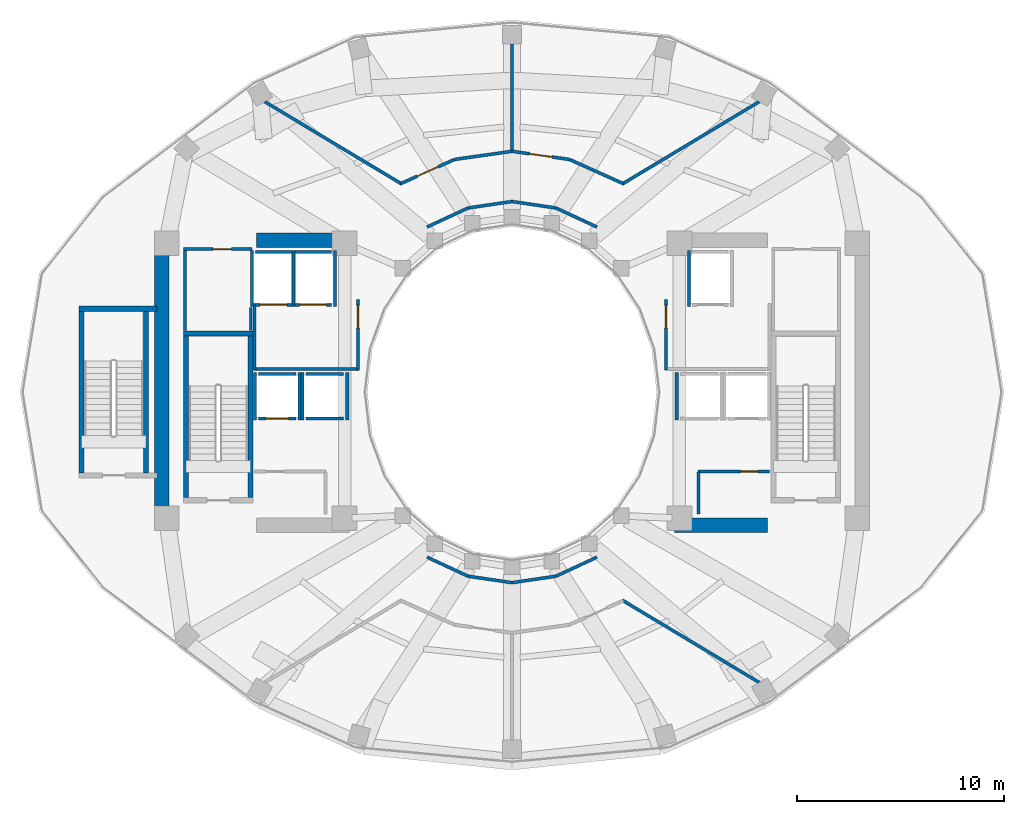
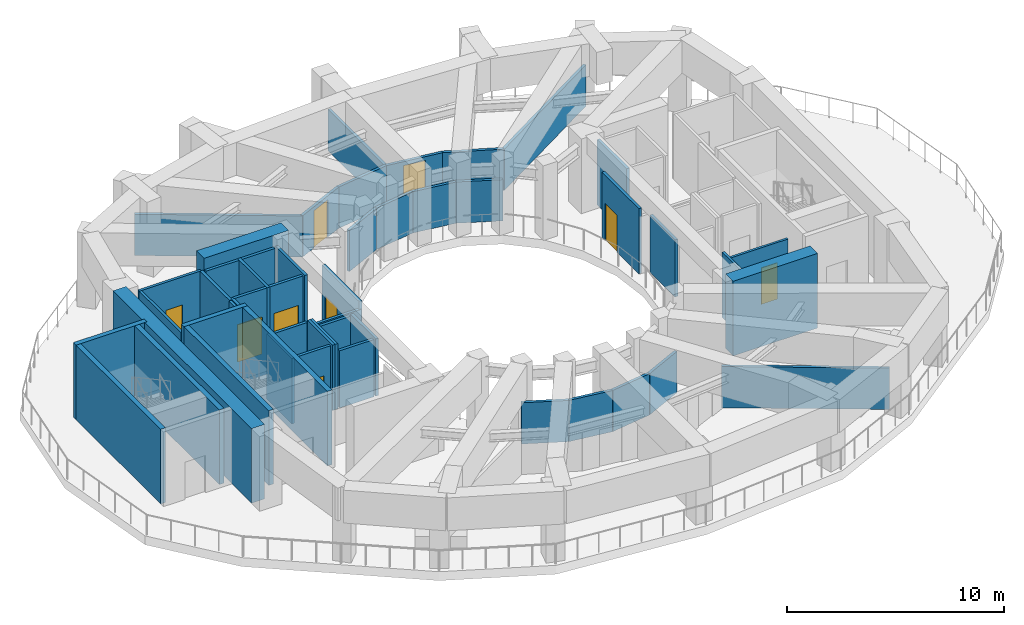
# One storey, part 3 of 9: 51 walls, 9 doors, 9 openings.
"""IFC4 building model written with IfcOpenShell, lengths in metres."""

from ifc_helpers import new_model, si_unit, direction, frame, frame_2d, origin, place, context, subcontext, project, spatial, rectangle, extrude, material, layer, layer_set, type_object, element, fill, save


model = new_model("IFC4")

# Units and contexts
model_context = context("Model", 3, precision=1e-05, world=origin(), true_north=direction((0.0, 1.0)))
body_context = subcontext(model_context, "Body", "Model", "MODEL_VIEW")
ifc_project = project(units=[si_unit("LENGTHUNIT", "METRE"), si_unit("AREAUNIT", "SQUARE_METRE"), si_unit("VOLUMEUNIT", "CUBIC_METRE"), si_unit("PLANEANGLEUNIT", "RADIAN"), si_unit("MASSUNIT", "GRAM", prefix="KILO")], contexts=[model_context])

# Site, building, storey
site_placement = place(None, origin())
site = spatial("IfcSite", under=ifc_project, at=site_placement, CompositionType="ELEMENT")
building_placement = place(site_placement, origin())
building = spatial("IfcBuilding", under=site, at=building_placement, Name="Solvane Sanctuary Tower", CompositionType="ELEMENT")
storey_placement = place(building_placement, frame((0.0, 0.0, 133.199951171875)))
storey = spatial("IfcBuildingStorey", under=building, at=storey_placement, Name="L40", CompositionType="ELEMENT", Elevation=133.199951171875)

# Walls
ifc_material_1 = material(Name="Concrete C60/75", Category="concrete")
ifc_layer_1 = layer(ifc_material_1, 0.699951171875, Name="Concrete C60/75")
ifc_layer_set_1 = layer_set([ifc_layer_1], Name="Concrete C60/75")
wall_type_1 = type_object("IfcWallType", Name="Wall W-CORE-700", PredefinedType="SHEAR", material=ifc_layer_set_1)
wall_1_placement = place(storey_placement, frame((15.050048828125, 17.050048828125, 0.0), z_axis=(0.0, 0.0, 1.0), x_axis=(0.0, 1.0, 0.0)))
element("IfcWall", 1, at=wall_1_placement, inside=storey, type_object=wall_type_1, Name="L40 Core Shear Wall WC-W", PredefinedType="SHEAR", context=body_context, shape_type="SweptSolid", body=[
    extrude(rectangle(XDim=12.800048828125, YDim=0.699951171875, at=frame_2d((6.39990234375, 0.0))), origin(), (0.0, 0.0, 1.0), 4.199951171875),
])
for number, where, z_axis, x_axis, name in (
    (2, (19.64990234375, 30.35009765625, 0.0), (0.0, 0.0, 1.0), (1.0, 0.0, 0.0), "L40 Core Shear Wall WC-N"),
    (3, (39.85009765625, 16.550048828125, 0.0), (0.0, 0.0, 1.0), (1.0, 0.0, 0.0), "L40 Core Shear Wall EC-S"),
):
    element("IfcWall", number, at=place(storey_placement, frame(where, z_axis=z_axis, x_axis=x_axis)), inside=storey, type_object=wall_type_1, Name=name, PredefinedType="SHEAR", context=body_context, shape_type="SweptSolid", body=[
        extrude(rectangle(XDim=4.5, YDim=0.699951171875, at=frame_2d((2.25, 0.0))), origin(), (0.0, 0.0, 1.0), 4.199951171875),
    ])
ifc_material_2 = material(Name="Acoustic Gypsum Partition Board")
ifc_layer_2 = layer(ifc_material_2, 0.14990234375, Name="Acoustic Gypsum Partition Board")
ifc_layer_set_2 = layer_set([ifc_layer_2], Name="Acoustic Gypsum Partition Board")
wall_type_2 = type_object("IfcWallType", Name="Wall W-CORR-150", PredefinedType="PARTITIONING", material=ifc_layer_set_2)
wall_2_placement = place(storey_placement, frame((19.52001953125, 24.1201171875, 0.0), z_axis=(0.0, 0.0, 1.0), x_axis=(1.0, 0.0, 0.0)))
element("IfcWall", 4, at=wall_2_placement, inside=storey, type_object=wall_type_2, Name="L40 West Firefighting Lobby South Wall", PredefinedType="PARTITIONING", context=body_context, shape_type="SweptSolid", body=[
    extrude(rectangle(XDim=5.080078125, YDim=0.14990234375, at=frame_2d((2.5400390625, 0.0))), origin(), (0.0, 0.0, 1.0), 3.219970703125),
])
wall_3_placement = place(storey_placement, frame((19.550048828125, 24.080078125, 0.0), z_axis=(0.0, 0.0, 1.0), x_axis=(0.0, 1.0, 0.0)))
element("IfcWall", 5, at=wall_3_placement, inside=storey, type_object=wall_type_2, Name="L40 West Firefighting Lobby West Wall", PredefinedType="PARTITIONING", context=body_context, shape_type="SweptSolid", body=[
    extrude(rectangle(XDim=3.199951171875, YDim=0.14990234375, at=frame_2d((1.60009765625, 0.0))), origin(), (0.0, 0.0, 1.0), 3.675048828125),
])

# Wall, opening, door
wall_4_placement = place(storey_placement, frame((24.550048828125, 24.080078125, 0.0), z_axis=(0.0, 0.0, 1.0), x_axis=(0.0, 1.0, 0.0)))
wall_4 = element("IfcWall", 6, at=wall_4_placement, inside=storey, type_object=wall_type_2, Name="L40 West Firefighting Lobby East Wall", PredefinedType="PARTITIONING", context=body_context, shape_type="SweptSolid", body=[
    extrude(rectangle(XDim=3.39990234375, YDim=0.14990234375, at=frame_2d((1.699951171875, 0.0))), origin(), (0.0, 0.0, 1.0), 3.675048828125),
])
opening_1_placement = place(wall_4_placement, frame((2.02001953125, 0.0, 0.0)))
opening_1 = element("IfcOpeningElement", 7, at=opening_1_placement, cuts=wall_4, Name="Opening D-L40-04", PredefinedType="OPENING", context=body_context, shape_type="SweptSolid", body=[
    extrude(rectangle(XDim=1.10009765625, YDim=2.10009765625, at=frame_2d((0.550048828125, 1.050048828125))), frame((0.0, 0.0849609375, 0.0), z_axis=(0.0, -1.0, 0.0), x_axis=(1.0, 0.0, 0.0)), (0.0, 0.0, 1.0), 0.169921875),
])
ifc_material_3 = material(Name="Architectural Stainless Steel 316", Category="steel")
door_type_1 = type_object("IfcDoorType", Name="Door D-FFL", OperationType="NOTDEFINED", PredefinedType="DOOR", material=ifc_material_3)
door_1_placement = place(opening_1_placement, origin())
door_1 = element("IfcDoor", 8, at=door_1_placement, inside=storey, type_object=door_type_1, Name="L40 West Firefighting Lobby Fire Door", OperationType="SINGLE_SWING_RIGHT", OverallHeight=2.10009765625, OverallWidth=1.10009765625, PredefinedType="DOOR", context=body_context, shape_type="SweptSolid", body=[
    extrude(rectangle(XDim=1.10009765625, YDim=2.10009765625, at=frame_2d((0.550048828125, 1.050048828125))), frame((0.0, 0.02490234375, 0.0), z_axis=(0.0, -1.0, 0.0), x_axis=(1.0, 0.0, 0.0)), (0.0, 0.0, 1.0), 0.050048828125),
])
fill(opening_1, door_1)

wall_5_placement = place(storey_placement, frame((39.449951171875, 24.080078125, 0.0), z_axis=(0.0, 0.0, 1.0), x_axis=(0.0, 1.0, 0.0)))
wall_5 = element("IfcWall", 9, at=wall_5_placement, inside=storey, type_object=wall_type_2, Name="L40 East Firefighting Lobby West Wall", PredefinedType="PARTITIONING", context=body_context, shape_type="SweptSolid", body=[
    extrude(rectangle(XDim=3.39990234375, YDim=0.14990234375, at=frame_2d((1.699951171875, 0.0))), origin(), (0.0, 0.0, 1.0), 3.675048828125),
])
opening_2_placement = place(wall_5_placement, frame((2.02001953125, 0.0, 0.0)))
opening_2 = element("IfcOpeningElement", 10, at=opening_2_placement, cuts=wall_5, Name="Opening D-L40-05", PredefinedType="OPENING", context=body_context, shape_type="SweptSolid", body=[
    extrude(rectangle(XDim=1.10009765625, YDim=2.10009765625, at=frame_2d((0.550048828125, 1.050048828125))), frame((0.0, 0.0849609375, 0.0), z_axis=(0.0, -1.0, 0.0), x_axis=(1.0, 0.0, 0.0)), (0.0, 0.0, 1.0), 0.169921875),
])
door_2_placement = place(opening_2_placement, origin())
door_2 = element("IfcDoor", 11, at=door_2_placement, inside=storey, type_object=door_type_1, Name="L40 East Firefighting Lobby Fire Door", OperationType="SINGLE_SWING_LEFT", OverallHeight=2.10009765625, OverallWidth=1.10009765625, PredefinedType="DOOR", context=body_context, shape_type="SweptSolid", body=[
    extrude(rectangle(XDim=1.10009765625, YDim=2.10009765625, at=frame_2d((0.550048828125, 1.050048828125))), frame((0.0, 0.02490234375, 0.0), z_axis=(0.0, -1.0, 0.0), x_axis=(1.0, 0.0, 0.0)), (0.0, 0.0, 1.0), 0.050048828125),
])
fill(opening_2, door_2)

# Walls
wall_6_placement = place(storey_placement, frame((36.110107421875, 30.98486328125, 0.0), z_axis=(0.0, 0.0, 1.0), x_axis=(-0.906943449489, 0.421252393975, 0.0)))
element("IfcWall", 12, at=wall_6_placement, inside=storey, type_object=wall_type_2, Name="L40 Light-Well Corridor Rim Wall N1", PredefinedType="PARTITIONING", context=body_context, shape_type="SweptSolid", body=[
    extrude(rectangle(XDim=2.18603515625, YDim=0.14990234375, at=frame_2d((1.093017578125, 0.0))), origin(), (0.0, 0.0, 1.0), 2.320068359375),
])
for number, where, z_axis, x_axis, name in (
    (13, (34.12744140625, 31.90576171875, 0.0), (0.0, 0.0, 1.0), (-0.989268584896, 0.146108408166, 0.0), "L40 Light-Well Corridor Rim Wall N2"),
    (14, (32.0, 32.219970703125, 0.0), (0.0, 0.0, 1.0), (-0.989268584896, -0.146108408166, 0.0), "L40 Light-Well Corridor Rim Wall N3"),
):
    element("IfcWall", number, at=place(storey_placement, frame(where, z_axis=z_axis, x_axis=x_axis)), inside=storey, type_object=wall_type_2, Name=name, PredefinedType="PARTITIONING", context=body_context, shape_type="SweptSolid", body=[
        extrude(rectangle(XDim=2.150634765625, YDim=0.14990234375, at=frame_2d((1.0751953125, 0.0))), origin(), (0.0, 0.0, 1.0), 2.320068359375),
    ])
for number, where, z_axis, x_axis, name in (
    (15, (29.87255859375, 31.90576171875, 0.0), (0.0, 0.0, 1.0), (-0.906943449489, -0.421252393975, 0.0), "L40 Light-Well Corridor Rim Wall N4"),
    (16, (27.889892578125, 15.01513671875, 0.0), (0.0, 0.0, 1.0), (0.906943449489, -0.421252393975, 0.0), "L40 Light-Well Corridor Rim Wall S1"),
):
    element("IfcWall", number, at=place(storey_placement, frame(where, z_axis=z_axis, x_axis=x_axis)), inside=storey, type_object=wall_type_2, Name=name, PredefinedType="PARTITIONING", context=body_context, shape_type="SweptSolid", body=[
        extrude(rectangle(XDim=2.18603515625, YDim=0.14990234375, at=frame_2d((1.093017578125, 0.0))), origin(), (0.0, 0.0, 1.0), 2.320068359375),
    ])
for number, where, z_axis, x_axis, name in (
    (17, (29.87255859375, 14.09423828125, 0.0), (0.0, 0.0, 1.0), (0.989268584896, -0.146108408166, 0.0), "L40 Light-Well Corridor Rim Wall S2"),
    (18, (32.0, 13.780029296875, 0.0), (0.0, 0.0, 1.0), (0.989268584896, 0.146108408166, 0.0), "L40 Light-Well Corridor Rim Wall S3"),
):
    element("IfcWall", number, at=place(storey_placement, frame(where, z_axis=z_axis, x_axis=x_axis)), inside=storey, type_object=wall_type_2, Name=name, PredefinedType="PARTITIONING", context=body_context, shape_type="SweptSolid", body=[
        extrude(rectangle(XDim=2.150634765625, YDim=0.14990234375, at=frame_2d((1.0751953125, 0.0))), origin(), (0.0, 0.0, 1.0), 2.320068359375),
    ])
wall_7_placement = place(storey_placement, frame((34.12744140625, 14.09423828125, 0.0), z_axis=(0.0, 0.0, 1.0), x_axis=(0.906943449489, 0.421252393975, 0.0)))
element("IfcWall", 19, at=wall_7_placement, inside=storey, type_object=wall_type_2, Name="L40 Light-Well Corridor Rim Wall S4", PredefinedType="PARTITIONING", context=body_context, shape_type="SweptSolid", body=[
    extrude(rectangle(XDim=2.18603515625, YDim=0.14990234375, at=frame_2d((1.093017578125, 0.0))), origin(), (0.0, 0.0, 1.0), 2.320068359375),
])
wall_8_placement = place(storey_placement, frame((37.33203125, 33.0634765625, 0.0), z_axis=(0.0, 0.0, 1.0), x_axis=(0.857109469509, 0.515134309941, 0.0)))
element("IfcWall", 20, at=wall_8_placement, inside=storey, type_object=wall_type_2, Name="L40 Refuge Area Radial Screen 060", PredefinedType="PARTITIONING", context=body_context, shape_type="SweptSolid", body=[
    extrude(rectangle(XDim=7.75732421875, YDim=0.14990234375, at=frame_2d((3.878662109375, 0.0))), origin(), (0.0, 0.0, 1.0), 2.320068359375),
])
wall_9_placement = place(storey_placement, frame((32.0, 34.60009765625, 0.0), z_axis=(0.0, 0.0, 1.0), x_axis=(0.0, 1.0, 0.0)))
element("IfcWall", 21, at=wall_9_placement, inside=storey, type_object=wall_type_2, Name="L40 Refuge Area Radial Screen 090", PredefinedType="PARTITIONING", context=body_context, shape_type="SweptSolid", body=[
    extrude(rectangle(XDim=5.25, YDim=0.14990234375, at=frame_2d((2.625, 0.0))), origin(), (0.0, 0.0, 1.0), 2.320068359375),
])
wall_10_placement = place(storey_placement, frame((37.381591796875, 33.085205078125, 0.0), z_axis=(0.0, 0.0, 1.0), x_axis=(-0.9121872495, 0.409773622687, 0.0)))
element("IfcWall", 22, at=wall_10_placement, inside=storey, type_object=wall_type_2, Name="L40 Refuge Lobby Wall 1", PredefinedType="PARTITIONING", context=body_context, shape_type="SweptSolid", body=[
    extrude(rectangle(XDim=2.8515625, YDim=0.14990234375, at=frame_2d((1.42578125, 0.0))), origin(), (0.0, 0.0, 1.0), 2.320068359375),
])

# Wall, opening, door
wall_11_placement = place(storey_placement, frame((34.7841796875, 34.25244140625, 0.0), z_axis=(0.0, 0.0, 1.0), x_axis=(-0.990016911465, 0.140948625436, 0.0)))
wall_11 = element("IfcWall", 23, at=wall_11_placement, inside=storey, type_object=wall_type_2, Name="L40 Refuge Lobby Wall 1", PredefinedType="PARTITIONING", context=body_context, shape_type="SweptSolid", body=[
    extrude(rectangle(XDim=2.81982421875, YDim=0.14990234375, at=frame_2d((1.409912109375, 0.0))), origin(), (0.0, 0.0, 1.0), 2.320068359375),
])
opening_3_placement = place(wall_11_placement, frame((0.85986328125, 0.0, 0.0)))
opening_3 = element("IfcOpeningElement", 24, at=opening_3_placement, cuts=wall_11, Name="Opening D-L40-08", PredefinedType="OPENING", context=body_context, shape_type="SweptSolid", body=[
    extrude(rectangle(XDim=1.10009765625, YDim=2.10009765625, at=frame_2d((0.550048828125, 1.050048828125))), frame((0.0, 0.0849609375, 0.0), z_axis=(0.0, -1.0, 0.0), x_axis=(1.0, 0.0, 0.0)), (0.0, 0.0, 1.0), 0.169921875),
])
door_3_placement = place(opening_3_placement, origin())
door_3 = element("IfcDoor", 25, at=door_3_placement, inside=storey, type_object=door_type_1, Name="L40 North-East Open Refuge Area Door", OperationType="SINGLE_SWING_RIGHT", OverallHeight=2.10009765625, OverallWidth=1.10009765625, PredefinedType="DOOR", context=body_context, shape_type="SweptSolid", body=[
    extrude(rectangle(XDim=1.10009765625, YDim=2.10009765625, at=frame_2d((0.550048828125, 1.050048828125))), frame((0.0, 0.02490234375, 0.0), z_axis=(0.0, -1.0, 0.0), x_axis=(1.0, 0.0, 0.0)), (0.0, 0.0, 1.0), 0.050048828125),
])
fill(opening_3, door_3)

# Walls
wall_12_placement = place(storey_placement, frame((26.66796875, 33.0634765625, 0.0), z_axis=(0.0, 0.0, 1.0), x_axis=(-0.857109469509, 0.515134309941, 0.0)))
element("IfcWall", 26, at=wall_12_placement, inside=storey, type_object=wall_type_2, Name="L40 Refuge Area Radial Screen 120", PredefinedType="PARTITIONING", context=body_context, shape_type="SweptSolid", body=[
    extrude(rectangle(XDim=7.75732421875, YDim=0.14990234375, at=frame_2d((3.878662109375, 0.0))), origin(), (0.0, 0.0, 1.0), 2.320068359375),
])
wall_13_placement = place(storey_placement, frame((32.007568359375, 34.64990234375, 0.0), z_axis=(0.0, 0.0, 1.0), x_axis=(-0.990016911465, -0.140948625436, 0.0)))
element("IfcWall", 27, at=wall_13_placement, inside=storey, type_object=wall_type_2, Name="L40 Refuge Lobby Wall 2", PredefinedType="PARTITIONING", context=body_context, shape_type="SweptSolid", body=[
    extrude(rectangle(XDim=2.81982421875, YDim=0.14990234375, at=frame_2d((1.409912109375, 0.0))), origin(), (0.0, 0.0, 1.0), 2.320068359375),
])

# Wall, opening, door
wall_14_placement = place(storey_placement, frame((29.219482421875, 34.253662109375, 0.0), z_axis=(0.0, 0.0, 1.0), x_axis=(-0.9121872495, -0.409773622687, 0.0)))
wall_14 = element("IfcWall", 28, at=wall_14_placement, inside=storey, type_object=wall_type_2, Name="L40 Refuge Lobby Wall 2", PredefinedType="PARTITIONING", context=body_context, shape_type="SweptSolid", body=[
    extrude(rectangle(XDim=2.8515625, YDim=0.14990234375, at=frame_2d((1.42578125, 0.0))), origin(), (0.0, 0.0, 1.0), 2.320068359375),
])
opening_4_placement = place(wall_14_placement, frame((0.875732421875, 0.0, 0.0)))
opening_4 = element("IfcOpeningElement", 29, at=opening_4_placement, cuts=wall_14, Name="Opening D-L40-09", PredefinedType="OPENING", context=body_context, shape_type="SweptSolid", body=[
    extrude(rectangle(XDim=1.10009765625, YDim=2.10009765625, at=frame_2d((0.550048828125, 1.050048828125))), frame((0.0, 0.0849609375, 0.0), z_axis=(0.0, -1.0, 0.0), x_axis=(1.0, 0.0, 0.0)), (0.0, 0.0, 1.0), 0.169921875),
])
door_4_placement = place(opening_4_placement, origin())
door_4 = element("IfcDoor", 30, at=door_4_placement, inside=storey, type_object=door_type_1, Name="L40 North-West Open Refuge Area Door", OperationType="SINGLE_SWING_LEFT", OverallHeight=2.10009765625, OverallWidth=1.10009765625, PredefinedType="DOOR", context=body_context, shape_type="SweptSolid", body=[
    extrude(rectangle(XDim=1.10009765625, YDim=2.10009765625, at=frame_2d((0.550048828125, 1.050048828125))), frame((0.0, 0.02490234375, 0.0), z_axis=(0.0, -1.0, 0.0), x_axis=(1.0, 0.0, 0.0)), (0.0, 0.0, 1.0), 0.050048828125),
])
fill(opening_4, door_4)

# Wall
wall_15_placement = place(storey_placement, frame((37.33203125, 12.9365234375, 0.0), z_axis=(0.0, 0.0, 1.0), x_axis=(0.857109469509, -0.515134309941, 0.0)))
element("IfcWall", 31, at=wall_15_placement, inside=storey, type_object=wall_type_2, Name="L40 Refuge Area Radial Screen 300", PredefinedType="PARTITIONING", context=body_context, shape_type="SweptSolid", body=[
    extrude(rectangle(XDim=7.75732421875, YDim=0.14990234375, at=frame_2d((3.878662109375, 0.0))), origin(), (0.0, 0.0, 1.0), 2.320068359375),
])

# Wall, opening, door
ifc_layer_3 = layer(ifc_material_2, 0.125, Name="Acoustic Gypsum Partition Board")
ifc_layer_set_3 = layer_set([ifc_layer_3], Name="Acoustic Gypsum Partition Board")
wall_type_3 = type_object("IfcWallType", Name="Wall W-PART-125", PredefinedType="PARTITIONING", material=ifc_layer_set_3)
wall_16_placement = place(storey_placement, frame((41.0, 19.159912109375, 0.0), z_axis=(0.0, 0.0, 1.0), x_axis=(1.0, 0.0, 0.0)))
wall_16 = element("IfcWall", 32, at=wall_16_placement, inside=storey, type_object=wall_type_3, Name="L40 Reclaimed Room Partition PLE", PredefinedType="PARTITIONING", context=body_context, shape_type="SweptSolid", body=[
    extrude(rectangle(XDim=3.449951171875, YDim=0.125, at=frame_2d((1.72509765625, 0.0))), origin(), (0.0, 0.0, 1.0), 3.219970703125),
])
opening_5_placement = place(wall_16_placement, frame((2.050048828125, 0.0, 0.0)))
opening_5 = element("IfcOpeningElement", 33, at=opening_5_placement, cuts=wall_16, Name="Opening D-L40-07", PredefinedType="OPENING", context=body_context, shape_type="SweptSolid", body=[
    extrude(rectangle(XDim=0.85009765625, YDim=2.050048828125, at=frame_2d((0.425048828125, 1.02490234375))), frame((0.0, 0.072509765625, 0.0), z_axis=(0.0, -1.0, 0.0), x_axis=(1.0, 0.0, 0.0)), (0.0, 0.0, 1.0), 0.14501953125),
])
door_type_2 = type_object("IfcDoorType", Name="Door D-RISER", OperationType="NOTDEFINED", PredefinedType="DOOR", material=ifc_material_3)
door_5_placement = place(opening_5_placement, origin())
door_5 = element("IfcDoor", 34, at=door_5_placement, inside=storey, type_object=door_type_2, Name="L40 Reclaimed Room Door PLE-1", OperationType="SINGLE_SWING_LEFT", OverallHeight=2.050048828125, OverallWidth=0.85009765625, PredefinedType="DOOR", context=body_context, shape_type="SweptSolid", body=[
    extrude(rectangle(XDim=0.85009765625, YDim=2.050048828125, at=frame_2d((0.425048828125, 1.02490234375))), frame((0.0, 0.02490234375, 0.0), z_axis=(0.0, -1.0, 0.0), x_axis=(1.0, 0.0, 0.0)), (0.0, 0.0, 1.0), 0.050048828125),
])
fill(opening_5, door_5)

# Wall
wall_17_placement = place(storey_placement, frame((41.02001953125, 17.10009765625, 0.0), z_axis=(0.0, 0.0, 1.0), x_axis=(0.0, 1.0, 0.0)))
element("IfcWall", 35, at=wall_17_placement, inside=storey, type_object=wall_type_3, Name="L40 Reclaimed Room Closer Wall PLE-1", PredefinedType="PARTITIONING", context=body_context, shape_type="SweptSolid", body=[
    extrude(rectangle(XDim=2.039794921875, YDim=0.125, at=frame_2d((1.02001953125, 0.0))), origin(), (0.0, 0.0, 1.0), 3.675048828125),
])

# Wall, opening, door
ifc_material_4 = material(Name="Concrete C50/60", Category="concrete")
ifc_layer_4 = layer(ifc_material_4, 0.14990234375, Name="Concrete C50/60")
ifc_layer_set_4 = layer_set([ifc_layer_4], Name="Concrete C50/60")
wall_type_4 = type_object("IfcWallType", Name="Wall W-SHAFT-150", PredefinedType="SOLIDWALL", material=ifc_layer_set_4)
wall_18_placement = place(storey_placement, frame((19.739990234375, 21.719970703125, 0.0), z_axis=(0.0, 0.0, 1.0), x_axis=(1.0, 0.0, 0.0)))
wall_18 = element("IfcWall", 36, at=wall_18_placement, inside=storey, type_object=wall_type_4, Name="L40 PM-1 Lift Shaft Wall F", PredefinedType="SOLIDWALL", context=body_context, shape_type="SweptSolid", body=[
    extrude(rectangle(XDim=1.820068359375, YDim=0.14990234375, at=frame_2d((0.91015625, 0.0))), origin(), (0.0, 0.0, 1.0), 3.675048828125),
])
opening_6_placement = place(wall_18_placement, frame((0.360107421875, 0.0, 0.0)))
opening_6 = element("IfcOpeningElement", 37, at=opening_6_placement, cuts=wall_18, Name="Opening LD-L40-01", PredefinedType="OPENING", context=body_context, shape_type="SweptSolid", body=[
    extrude(rectangle(XDim=1.10009765625, YDim=2.10009765625, at=frame_2d((0.550048828125, 1.050048828125))), frame((0.0, 0.0849609375, 0.0), z_axis=(0.0, -1.0, 0.0), x_axis=(1.0, 0.0, 0.0)), (0.0, 0.0, 1.0), 0.169921875),
])
door_type_3 = type_object("IfcDoorType", Name="Door LD-PASS-1100", OperationType="NOTDEFINED", PredefinedType="DOOR", material=ifc_material_3)
door_6_placement = place(opening_6_placement, origin())
door_6 = element("IfcDoor", 38, at=door_6_placement, inside=storey, type_object=door_type_3, Name="L40 PM-1 Lift Landing Door", OperationType="DOUBLE_DOOR_SLIDING", OverallHeight=2.10009765625, OverallWidth=1.10009765625, PredefinedType="DOOR", context=body_context, shape_type="SweptSolid", body=[
    extrude(rectangle(XDim=1.10009765625, YDim=2.10009765625, at=frame_2d((0.550048828125, 1.050048828125))), frame((0.0, 0.02490234375, 0.0), z_axis=(0.0, -1.0, 0.0), x_axis=(1.0, 0.0, 0.0)), (0.0, 0.0, 1.0), 0.050048828125),
])
fill(opening_6, door_6)

# Walls
wall_19_placement = place(storey_placement, frame((19.739990234375, 23.8798828125, 0.0), z_axis=(0.0, 0.0, 1.0), x_axis=(1.0, 0.0, 0.0)))
element("IfcWall", 39, at=wall_19_placement, inside=storey, type_object=wall_type_4, Name="L40 PM-1 Lift Shaft Wall B", PredefinedType="SOLIDWALL", context=body_context, shape_type="SweptSolid", body=[
    extrude(rectangle(XDim=1.820068359375, YDim=0.14990234375, at=frame_2d((0.91015625, 0.0))), origin(), (0.0, 0.0, 1.0), 3.675048828125),
])
for number, where, z_axis, x_axis, name in (
    (40, (19.570068359375, 21.639892578125, 0.0), (0.0, 0.0, 1.0), (0.0, 1.0, 0.0), "L40 PM-1 Lift Shaft Wall S1"),
    (41, (21.72998046875, 21.639892578125, 0.0), (0.0, 0.0, 1.0), (0.0, 1.0, 0.0), "L40 PM-1 Lift Shaft Wall S2"),
):
    element("IfcWall", number, at=place(storey_placement, frame(where, z_axis=z_axis, x_axis=x_axis)), inside=storey, type_object=wall_type_4, Name=name, PredefinedType="SOLIDWALL", context=body_context, shape_type="SweptSolid", body=[
        extrude(rectangle(XDim=2.320068359375, YDim=0.14990234375, at=frame_2d((1.16015625, 0.0))), origin(), (0.0, 0.0, 1.0), 3.675048828125),
    ])
for number, where, z_axis, x_axis, name in (
    (42, (22.0400390625, 21.719970703125, 0.0), (0.0, 0.0, 1.0), (1.0, 0.0, 0.0), "L40 PH-1 Lift Shaft Wall F"),
    (43, (22.0400390625, 23.8798828125, 0.0), (0.0, 0.0, 1.0), (1.0, 0.0, 0.0), "L40 PH-1 Lift Shaft Wall B"),
):
    element("IfcWall", number, at=place(storey_placement, frame(where, z_axis=z_axis, x_axis=x_axis)), inside=storey, type_object=wall_type_4, Name=name, PredefinedType="SOLIDWALL", context=body_context, shape_type="SweptSolid", body=[
        extrude(rectangle(XDim=1.820068359375, YDim=0.14990234375, at=frame_2d((0.91015625, 0.0))), origin(), (0.0, 0.0, 1.0), 3.219970703125),
    ])
wall_20_placement = place(storey_placement, frame((21.8701171875, 21.639892578125, 0.0), z_axis=(0.0, 0.0, 1.0), x_axis=(0.0, 1.0, 0.0)))
element("IfcWall", 44, at=wall_20_placement, inside=storey, type_object=wall_type_4, Name="L40 PH-1 Lift Shaft Wall S1", PredefinedType="SOLIDWALL", context=body_context, shape_type="SweptSolid", body=[
    extrude(rectangle(XDim=2.320068359375, YDim=0.14990234375, at=frame_2d((1.16015625, 0.0))), origin(), (0.0, 0.0, 1.0), 3.675048828125),
])
for number, where, z_axis, x_axis, name in (
    (45, (24.030029296875, 21.639892578125, 0.0), (0.0, 0.0, 1.0), (0.0, 1.0, 0.0), "L40 PH-1 Lift Shaft Wall S2"),
    (46, (39.969970703125, 21.639892578125, 0.0), (0.0, 0.0, 1.0), (0.0, 1.0, 0.0), "L40 PH-2 Lift Shaft Wall S1"),
):
    element("IfcWall", number, at=place(storey_placement, frame(where, z_axis=z_axis, x_axis=x_axis)), inside=storey, type_object=wall_type_4, Name=name, PredefinedType="SOLIDWALL", context=body_context, shape_type="SweptSolid", body=[
        extrude(rectangle(XDim=2.320068359375, YDim=0.14990234375, at=frame_2d((1.16015625, 0.0))), origin(), (0.0, 0.0, 1.0), 3.219970703125),
    ])

# Wall, opening, door
wall_21_placement = place(storey_placement, frame((19.590087890625, 27.219970703125, 0.0), z_axis=(0.0, 0.0, 1.0), x_axis=(1.0, 0.0, 0.0)))
wall_21 = element("IfcWall", 47, at=wall_21_placement, inside=storey, type_object=wall_type_4, Name="L40 FFL-1 Lift Shaft Wall F", PredefinedType="SOLIDWALL", context=body_context, shape_type="SweptSolid", body=[
    extrude(rectangle(XDim=1.760009765625, YDim=0.14990234375, at=frame_2d((0.8798828125, 0.0))), origin(), (0.0, 0.0, 1.0), 3.675048828125),
])
opening_7_placement = place(wall_21_placement, frame((0.22998046875, 0.0, 0.0)))
opening_7 = element("IfcOpeningElement", 48, at=opening_7_placement, cuts=wall_21, Name="Opening LD-L40-03", PredefinedType="OPENING", context=body_context, shape_type="SweptSolid", body=[
    extrude(rectangle(XDim=1.300048828125, YDim=2.10009765625, at=frame_2d((0.64990234375, 1.050048828125))), frame((0.0, 0.0849609375, 0.0), z_axis=(0.0, -1.0, 0.0), x_axis=(1.0, 0.0, 0.0)), (0.0, 0.0, 1.0), 0.169921875),
])
door_type_4 = type_object("IfcDoorType", Name="Door LD-FFL-1300", OperationType="NOTDEFINED", PredefinedType="DOOR", material=ifc_material_3)
door_7_placement = place(opening_7_placement, origin())
door_7 = element("IfcDoor", 49, at=door_7_placement, inside=storey, type_object=door_type_4, Name="L40 FFL-1 Lift Landing Door", OperationType="DOUBLE_DOOR_SLIDING", OverallHeight=2.10009765625, OverallWidth=1.300048828125, PredefinedType="DOOR", context=body_context, shape_type="SweptSolid", body=[
    extrude(rectangle(XDim=1.300048828125, YDim=2.10009765625, at=frame_2d((0.64990234375, 1.050048828125))), frame((0.0, 0.02490234375, 0.0), z_axis=(0.0, -1.0, 0.0), x_axis=(1.0, 0.0, 0.0)), (0.0, 0.0, 1.0), 0.050048828125),
])
fill(opening_7, door_7)

# Walls
wall_22_placement = place(storey_placement, frame((19.590087890625, 29.780029296875, 0.0), z_axis=(0.0, 0.0, 1.0), x_axis=(1.0, 0.0, 0.0)))
element("IfcWall", 50, at=wall_22_placement, inside=storey, type_object=wall_type_4, Name="L40 FFL-1 Lift Shaft Wall B", PredefinedType="SOLIDWALL", context=body_context, shape_type="SweptSolid", body=[
    extrude(rectangle(XDim=1.760009765625, YDim=0.14990234375, at=frame_2d((0.8798828125, 0.0))), origin(), (0.0, 0.0, 1.0), 3.675048828125),
])
for number, where, z_axis, x_axis, name in (
    (51, (19.419921875, 27.139892578125, 0.0), (0.0, 0.0, 1.0), (0.0, 1.0, 0.0), "L40 FFL-1 Lift Shaft Wall S1"),
    (52, (21.425048828125, 27.139892578125, 0.0), (0.0, 0.0, 1.0), (0.0, 1.0, 0.0), "L40 FFL-1 Lift Shaft Wall S2"),
):
    element("IfcWall", number, at=place(storey_placement, frame(where, z_axis=z_axis, x_axis=x_axis)), inside=storey, type_object=wall_type_4, Name=name, PredefinedType="SOLIDWALL", context=body_context, shape_type="SweptSolid", body=[
        extrude(rectangle(XDim=2.72021484375, YDim=0.14990234375, at=frame_2d((1.360107421875, 0.0))), origin(), (0.0, 0.0, 1.0), 3.675048828125),
    ])

# Wall, opening, door
wall_23_placement = place(storey_placement, frame((21.5, 27.219970703125, 0.0), z_axis=(0.0, 0.0, 1.0), x_axis=(1.0, 0.0, 0.0)))
wall_23 = element("IfcWall", 53, at=wall_23_placement, inside=storey, type_object=wall_type_4, Name="L40 SVL-1 Lift Shaft Wall F", PredefinedType="SOLIDWALL", context=body_context, shape_type="SweptSolid", body=[
    extrude(rectangle(XDim=1.760009765625, YDim=0.14990234375, at=frame_2d((0.8798828125, 0.0))), origin(), (0.0, 0.0, 1.0), 3.675048828125),
])
opening_8_placement = place(wall_23_placement, frame((0.22998046875, 0.0, 0.0)))
opening_8 = element("IfcOpeningElement", 54, at=opening_8_placement, cuts=wall_23, Name="Opening LD-L40-04", PredefinedType="OPENING", context=body_context, shape_type="SweptSolid", body=[
    extrude(rectangle(XDim=1.300048828125, YDim=2.10009765625, at=frame_2d((0.64990234375, 1.050048828125))), frame((0.0, 0.0849609375, 0.0), z_axis=(0.0, -1.0, 0.0), x_axis=(1.0, 0.0, 0.0)), (0.0, 0.0, 1.0), 0.169921875),
])
door_8_placement = place(opening_8_placement, origin())
door_8 = element("IfcDoor", 55, at=door_8_placement, inside=storey, type_object=door_type_4, Name="L40 SVL-1 Lift Landing Door", OperationType="DOUBLE_DOOR_SLIDING", OverallHeight=2.10009765625, OverallWidth=1.300048828125, PredefinedType="DOOR", context=body_context, shape_type="SweptSolid", body=[
    extrude(rectangle(XDim=1.300048828125, YDim=2.10009765625, at=frame_2d((0.64990234375, 1.050048828125))), frame((0.0, 0.02490234375, 0.0), z_axis=(0.0, -1.0, 0.0), x_axis=(1.0, 0.0, 0.0)), (0.0, 0.0, 1.0), 0.050048828125),
])
fill(opening_8, door_8)

# Walls
wall_24_placement = place(storey_placement, frame((21.5, 29.780029296875, 0.0), z_axis=(0.0, 0.0, 1.0), x_axis=(1.0, 0.0, 0.0)))
element("IfcWall", 56, at=wall_24_placement, inside=storey, type_object=wall_type_4, Name="L40 SVL-1 Lift Shaft Wall B", PredefinedType="SOLIDWALL", context=body_context, shape_type="SweptSolid", body=[
    extrude(rectangle(XDim=1.760009765625, YDim=0.14990234375, at=frame_2d((0.8798828125, 0.0))), origin(), (0.0, 0.0, 1.0), 3.675048828125),
])
for number, where, z_axis, x_axis, name in (
    (57, (23.429931640625, 27.139892578125, 0.0), (0.0, 0.0, 1.0), (0.0, 1.0, 0.0), "L40 SVL-1 Lift Shaft Wall S2"),
    (58, (40.570068359375, 27.139892578125, 0.0), (0.0, 0.0, 1.0), (0.0, 1.0, 0.0), "L40 FFL-2 Lift Shaft Wall S1"),
):
    element("IfcWall", number, at=place(storey_placement, frame(where, z_axis=z_axis, x_axis=x_axis)), inside=storey, type_object=wall_type_4, Name=name, PredefinedType="SOLIDWALL", context=body_context, shape_type="SweptSolid", body=[
        extrude(rectangle(XDim=2.72021484375, YDim=0.14990234375, at=frame_2d((1.360107421875, 0.0))), origin(), (0.0, 0.0, 1.0), 3.675048828125),
    ])
ifc_layer_5 = layer(ifc_material_4, 0.25, Name="Concrete C50/60")
ifc_layer_set_5 = layer_set([ifc_layer_5], Name="Concrete C50/60")
wall_type_5 = type_object("IfcWallType", Name="Wall W-SHAFT-250", PredefinedType="SOLIDWALL", material=ifc_layer_set_5)
wall_25_placement = place(storey_placement, frame((16.10498046875, 25.830078125, 0.0), z_axis=(0.0, 0.0, 1.0), x_axis=(1.0, 0.0, 0.0)))
element("IfcWall", 59, at=wall_25_placement, inside=storey, type_object=wall_type_5, Name="L40 ST-1 Load-Bearing Shaft Wall N", PredefinedType="SOLIDWALL", context=body_context, shape_type="SweptSolid", body=[
    extrude(rectangle(XDim=3.3701171875, YDim=0.25, at=frame_2d((1.68505859375, 0.0))), origin(), (0.0, 0.0, 1.0), 4.199951171875),
])
for number, where, z_axis, x_axis, name in (
    (60, (16.22998046875, 17.89501953125, 0.0), (0.0, 0.0, 1.0), (0.0, 1.0, 0.0), "L40 ST-1 Load-Bearing Shaft Wall W"),
    (61, (19.35009765625, 17.89501953125, 0.0), (0.0, 0.0, 1.0), (0.0, 1.0, 0.0), "L40 ST-1 Load-Bearing Shaft Wall E"),
):
    element("IfcWall", number, at=place(storey_placement, frame(where, z_axis=z_axis, x_axis=x_axis)), inside=storey, type_object=wall_type_5, Name=name, PredefinedType="SOLIDWALL", context=body_context, shape_type="SweptSolid", body=[
        extrude(rectangle(XDim=7.81005859375, YDim=0.25, at=frame_2d((3.905029296875, 0.0))), origin(), (0.0, 0.0, 1.0), 4.199951171875),
    ])
wall_26_placement = place(storey_placement, frame((11.044921875, 27.030029296875, 0.0), z_axis=(0.0, 0.0, 1.0), x_axis=(1.0, 0.0, 0.0)))
element("IfcWall", 62, at=wall_26_placement, inside=storey, type_object=wall_type_5, Name="L40 ST-3 Load-Bearing Shaft Wall N", PredefinedType="SOLIDWALL", context=body_context, shape_type="SweptSolid", body=[
    extrude(rectangle(XDim=3.781982421875, YDim=0.25, at=frame_2d((1.89111328125, 0.0))), origin(), (0.0, 0.0, 1.0), 4.199951171875),
])
for number, where, z_axis, x_axis, name in (
    (63, (11.169921875, 19.094970703125, 0.0), (0.0, 0.0, 1.0), (0.0, 1.0, 0.0), "L40 ST-3 Load-Bearing Shaft Wall W"),
    (64, (14.2900390625, 19.094970703125, 0.0), (0.0, 0.0, 1.0), (0.0, 1.0, 0.0), "L40 ST-3 Load-Bearing Shaft Wall E"),
):
    element("IfcWall", number, at=place(storey_placement, frame(where, z_axis=z_axis, x_axis=x_axis)), inside=storey, type_object=wall_type_5, Name=name, PredefinedType="SOLIDWALL", context=body_context, shape_type="SweptSolid", body=[
        extrude(rectangle(XDim=7.81005859375, YDim=0.25, at=frame_2d((3.905029296875, 0.0))), origin(), (0.0, 0.0, 1.0), 4.199951171875),
    ])

# Wall, opening, door
ifc_layer_6 = layer(ifc_material_2, 0.139892578125, Name="Acoustic Gypsum Partition Board")
ifc_layer_set_6 = layer_set([ifc_layer_6], Name="Acoustic Gypsum Partition Board")
wall_type_6 = type_object("IfcWallType", Name="Wall W-WET-140", PredefinedType="PLUMBINGWALL", material=ifc_layer_set_6)
wall_27_placement = place(storey_placement, frame((16.1201171875, 29.919921875, 0.0), z_axis=(0.0, 0.0, 1.0), x_axis=(1.0, 0.0, 0.0)))
wall_27 = element("IfcWall", 65, at=wall_27_placement, inside=storey, type_object=wall_type_6, Name="L40 Refuge WC Front Wall", PredefinedType="PLUMBINGWALL", context=body_context, shape_type="SweptSolid", body=[
    extrude(rectangle(XDim=3.2998046875, YDim=0.139892578125, at=frame_2d((1.64990234375, 0.0))), origin(), (0.0, 0.0, 1.0), 3.675048828125),
])
opening_9_placement = place(wall_27_placement, frame((1.404296875, 0.0, 0.0)))
opening_9 = element("IfcOpeningElement", 66, at=opening_9_placement, cuts=wall_27, Name="Opening D-L40-12", PredefinedType="OPENING", context=body_context, shape_type="SweptSolid", body=[
    extrude(rectangle(XDim=0.89990234375, YDim=2.10009765625, at=frame_2d((0.449951171875, 1.050048828125))), frame((0.0, 0.079833984375, 0.0), z_axis=(0.0, -1.0, 0.0), x_axis=(1.0, 0.0, 0.0)), (0.0, 0.0, 1.0), 0.159912109375),
])
ifc_material_5 = material(Name="Engineered Tropical Hardwood", Category="wood")
door_type_5 = type_object("IfcDoorType", Name="Door D-WET-900", OperationType="NOTDEFINED", PredefinedType="DOOR", material=ifc_material_5)
door_9_placement = place(opening_9_placement, origin())
door_9 = element("IfcDoor", 67, at=door_9_placement, inside=storey, type_object=door_type_5, Name="L40 Refuge Accessible WC Door", OperationType="SINGLE_SWING_RIGHT", OverallHeight=2.10009765625, OverallWidth=0.89990234375, PredefinedType="DOOR", context=body_context, shape_type="SweptSolid", body=[
    extrude(rectangle(XDim=0.89990234375, YDim=2.10009765625, at=frame_2d((0.449951171875, 1.050048828125))), frame((0.0, 0.02490234375, 0.0), z_axis=(0.0, -1.0, 0.0), x_axis=(1.0, 0.0, 0.0)), (0.0, 0.0, 1.0), 0.050048828125),
])
fill(opening_9, door_9)

# Walls
wall_28_placement = place(storey_placement, frame((16.179931640625, 25.97998046875, 0.0), z_axis=(0.0, 0.0, 1.0), x_axis=(0.0, 1.0, 0.0)))
element("IfcWall", 68, at=wall_28_placement, inside=storey, type_object=wall_type_6, Name="L40 Refuge WC West Wall", PredefinedType="PLUMBINGWALL", context=body_context, shape_type="SweptSolid", body=[
    extrude(rectangle(XDim=3.880126953125, YDim=0.139892578125, at=frame_2d((1.93994140625, 0.0))), origin(), (0.0, 0.0, 1.0), 3.675048828125),
])
wall_29_placement = place(storey_placement, frame((19.360107421875, 25.97998046875, 0.0), z_axis=(0.0, 0.0, 1.0), x_axis=(0.0, 1.0, 0.0)))
element("IfcWall", 69, at=wall_29_placement, inside=storey, type_object=wall_type_6, Name="L40 Refuge WC East Closer", PredefinedType="PLUMBINGWALL", context=body_context, shape_type="SweptSolid", body=[
    extrude(rectangle(XDim=1.1201171875, YDim=0.139892578125, at=frame_2d((0.56005859375, 0.0))), origin(), (0.0, 0.0, 1.0), 3.675048828125),
])

save(model, "model.ifc")
